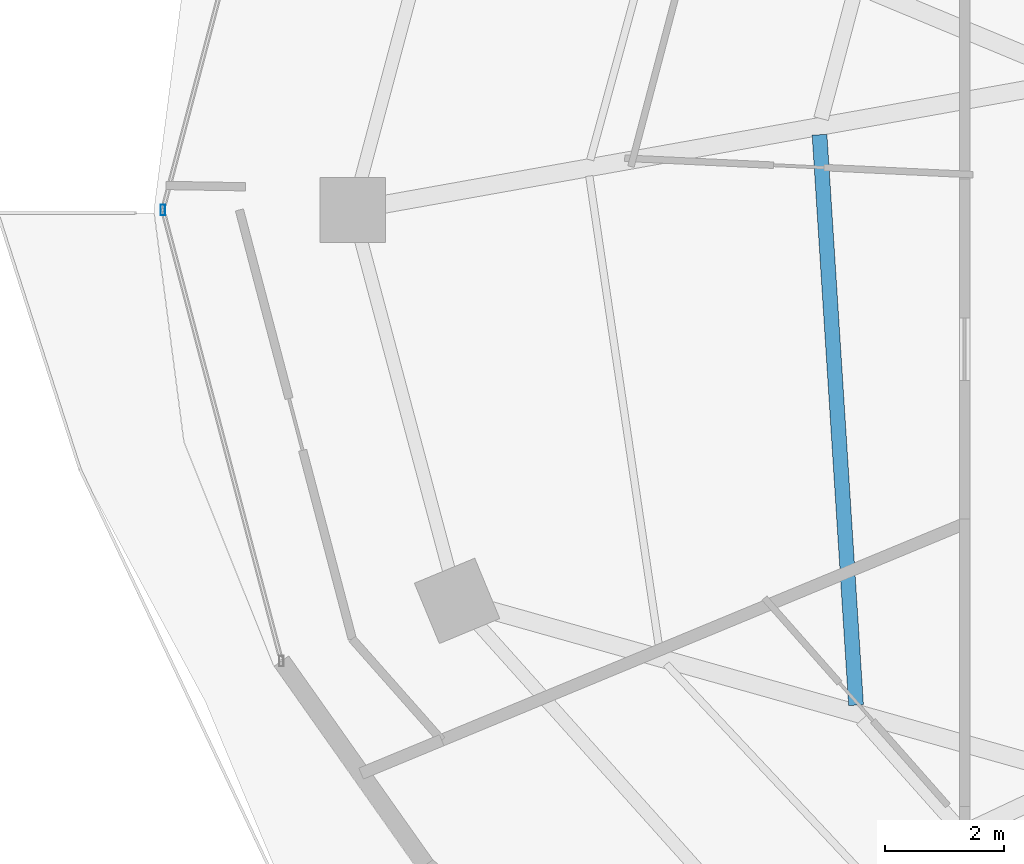
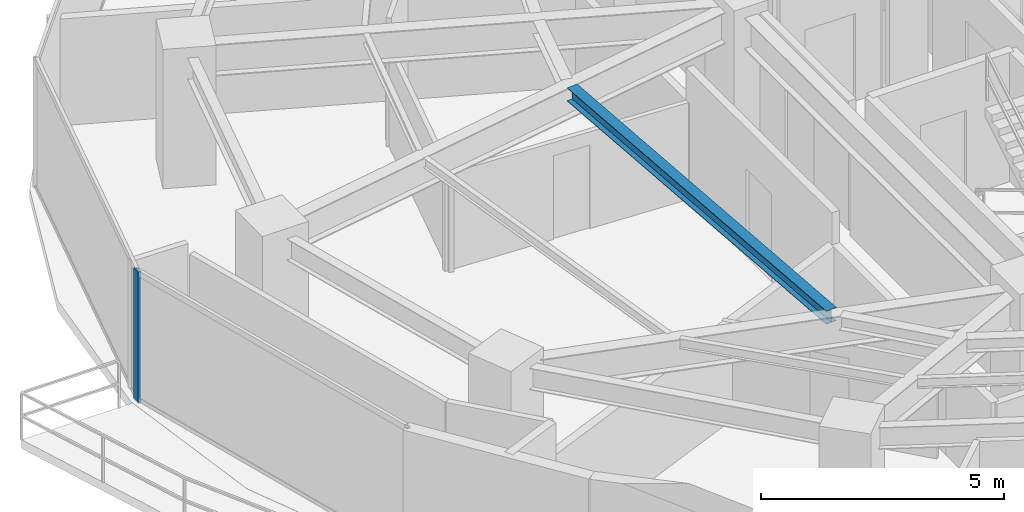
# One storey, part 7 of 30: 1 beam, 1 member, 1 element without a shape of its own.
"""IFC4 building model written with IfcOpenShell, lengths in metres."""

import ifcopenshell
import ifcopenshell.guid

model = None  # the IFC model being written
_history = None  # IfcOwnerHistory: only IFC2X3 demands one
_inside = {}  # id of a spatial element -> (the spatial element, [elements in it])
_under = {}  # id of a project, library or spatial element -> (it, [spatial elements below it])
_declared = {}  # id of a project -> (the project, [libraries it declares])
_typed = {}  # id of a type object -> (the type object, [elements of that type])
_made_of = {}  # id of a material, layer set ... -> (it, [elements and type objects made of it])


def new_model(schema):
    """Start an empty IFC model of exactly this schema.

    Asked for "IFC4X3", IfcOpenShell would pick the latest addendum, in which some entities
    have other attributes; the version numbers below select the first issue.
    IFC2X3 requires an IfcOwnerHistory on every rooted entity: one is made here for all.
    """
    global model, _history
    if schema == "IFC4X3":
        model = ifcopenshell.file(schema_version=(4, 3, 0, 0))
    else:
        model = ifcopenshell.file(schema=schema)
    _inside.clear()
    _under.clear()
    _declared.clear()
    _typed.clear()
    _made_of.clear()
    _history = None
    if model.schema == "IFC2X3":
        org = make("IfcOrganization", Name="unknown")
        user = make(
            "IfcPersonAndOrganization",
            ThePerson=make("IfcPerson", FamilyName="unknown"),
            TheOrganization=org,
        )
        app = make(
            "IfcApplication",
            ApplicationDeveloper=org,
            Version="unknown",
            ApplicationFullName="unknown",
            ApplicationIdentifier="unknown",
        )
        _history = make(
            "IfcOwnerHistory",
            OwningUser=user,
            OwningApplication=app,
            ChangeAction="ADDED",
            CreationDate=0,
        )
    return model


def make(cls, **values):
    """One entity of the class cls with the attributes given. An attribute that is None is left unset."""
    return model.create_entity(
        cls, **{name: value for name, value in values.items() if value is not None}
    )


def rooted(cls, **values):
    """An entity with a GlobalId (a new one), such as an element, a storey or a relation."""
    return make(cls, GlobalId=ifcopenshell.guid.new(), OwnerHistory=_history, **values)


def si_unit(unit_type, name, prefix=None):
    """IfcSIUnit, for example si_unit("LENGTHUNIT", "METRE", prefix="MILLI")."""
    return make("IfcSIUnit", UnitType=unit_type, Prefix=prefix, Name=name)


def assignment(units):
    """IfcUnitAssignment: the units of a project."""
    return None if units is None else make("IfcUnitAssignment", Units=units)


def point(xyz):
    """IfcCartesianPoint."""
    return None if xyz is None else make("IfcCartesianPoint", Coordinates=xyz)


def direction(xyz):
    """IfcDirection."""
    return None if xyz is None else make("IfcDirection", DirectionRatios=xyz)


def frame(location, z_axis=None, x_axis=None):
    """IfcAxis2Placement3D, a coordinate frame: its origin and axes. An axis left out is left unset."""
    return make(
        "IfcAxis2Placement3D",
        Location=point(location),
        Axis=direction(z_axis),
        RefDirection=direction(x_axis),
    )


def frame_2d(location, x_axis=None):
    """IfcAxis2Placement2D, a coordinate frame in the plane: its origin and x axis."""
    return make(
        "IfcAxis2Placement2D", Location=point(location), RefDirection=direction(x_axis)
    )


def origin():
    """The frame at (0, 0, 0) with its axes left unset."""
    return frame((0.0, 0.0, 0.0))


def origin_2d():
    """The frame at (0, 0) in the plane with its x axis left unset."""
    return frame_2d((0.0, 0.0))


def place(relative_to, where):
    """IfcLocalPlacement: puts the frame where relative to a parent placement (None: the world)."""
    return make(
        "IfcLocalPlacement", PlacementRelTo=relative_to, RelativePlacement=where
    )


def context(
    kind, dimensions, precision=None, world=None, true_north=None, identifier=None
):
    """IfcGeometricRepresentationContext, for example the 3D "Model" context."""
    return make(
        "IfcGeometricRepresentationContext",
        ContextIdentifier=identifier,
        ContextType=kind,
        CoordinateSpaceDimension=dimensions,
        Precision=precision,
        WorldCoordinateSystem=world,
        TrueNorth=true_north,
    )


def subcontext(parent, identifier, kind, view, scale=None):
    """IfcGeometricRepresentationSubContext, for example "Body" below "Model"."""
    return make(
        "IfcGeometricRepresentationSubContext",
        ContextIdentifier=identifier,
        ContextType=kind,
        ParentContext=parent,
        TargetScale=scale,
        TargetView=view,
    )


def project(units=None, contexts=None):
    """IfcProject with its units and contexts."""
    return rooted(
        "IfcProject",
        Name="project",
        RepresentationContexts=contexts,
        UnitsInContext=assignment(units),
    )


def spatial(cls, under=None, at=None, **own):
    """A site, building, storey or space (cls), placed at a placement, below another one or the project."""
    s = rooted(cls, ObjectPlacement=at, **own)
    if under is not None:
        _under.setdefault(under.id(), (under, []))[1].append(s)
    return s


def profile(cls, at=None, kind="AREA", **sizes):
    """A parametric profile (cls). Its sizes go by their IFC names, for example OverallWidth=200.0."""
    return make(cls, ProfileType=kind, Position=at, **sizes)


def hollow_rectangle(**sizes):
    """IfcRectangleHollowProfileDef."""
    return profile("IfcRectangleHollowProfileDef", **sizes)


def i_section(**sizes):
    """IfcIShapeProfileDef."""
    return profile("IfcIShapeProfileDef", **sizes)


def extrude(swept, where, along, depth):
    """IfcExtrudedAreaSolid: the profile swept, set in the frame where, extruded along a direction by depth."""
    return make(
        "IfcExtrudedAreaSolid",
        SweptArea=swept,
        Position=where,
        ExtrudedDirection=direction(along),
        Depth=depth,
    )


def shape(context_of_items, identifier, shape_type, items):
    """IfcShapeRepresentation: the items that make up one representation, for example the "Body"."""
    return make(
        "IfcShapeRepresentation",
        ContextOfItems=context_of_items,
        RepresentationIdentifier=identifier,
        RepresentationType=shape_type,
        Items=items,
    )


def material(Name=None, Category=None):
    """IfcMaterial."""
    return make("IfcMaterial", Name=Name, Category=Category)


def material_profile(
    of_material, cross_section, Name=None, Category=None, Priority=None
):
    """IfcMaterialProfile: a cross section and its material."""
    return make(
        "IfcMaterialProfile",
        Name=Name,
        Material=of_material,
        Profile=cross_section,
        Priority=Priority,
        Category=Category,
    )


def profile_set(profiles, Name=None, composite=None):
    """IfcMaterialProfileSet."""
    return make(
        "IfcMaterialProfileSet",
        Name=Name,
        MaterialProfiles=profiles,
        CompositeProfile=composite,
    )


def made_of(thing, what):
    """Note that an element or type object is made of a material, layer set ...; save() writes the relation."""
    if what is not None:
        _made_of.setdefault(what.id(), (what, []))[1].append(thing)
    return thing


def type_object(cls, material=None, **own):
    """A type object (cls), such as IfcWallType, which elements share."""
    return made_of(rooted(cls, **own), material)


def element(
    cls,
    number,
    at=None,
    inside=None,
    cuts=None,
    type_object=None,
    material=None,
    context=None,
    identifier="Body",
    shape_type=None,
    held_by="IfcProductDefinitionShape",
    body=None,
    shapes=None,
    **own,
):
    """One element of the class cls, such as IfcWall. Its Tag is "e" and its number.

    at: its placement. inside: the storey or other place that contains it. cuts: it is an
    opening in that element (IfcRelVoidsElement). A single representation is given by context,
    identifier, shape_type and body (its items); several are given by shapes. held_by: the class
    of the entity that holds the representations. save() writes the other relations.
    """
    e = rooted(cls, Tag="e%d" % number, ObjectPlacement=at, **own)
    if body is not None:
        shapes = [shape(context, identifier, shape_type, body)]
    if shapes is not None:
        e.Representation = make(held_by, Representations=shapes)
    if inside is not None:
        _inside.setdefault(inside.id(), (inside, []))[1].append(e)
    if cuts is not None:
        rooted(
            "IfcRelVoidsElement", RelatingBuildingElement=cuts, RelatedOpeningElement=e
        )
    if type_object is not None:
        _typed.setdefault(type_object.id(), (type_object, []))[1].append(e)
    return made_of(e, material)


def aggregate(whole, parts):
    """IfcRelAggregates: a whole, such as a stair, and the parts it consists of."""
    return rooted("IfcRelAggregates", RelatingObject=whole, RelatedObjects=parts)


def save(model, path):
    """Write the relations noted so far, then the file.

    IfcRelAggregates (storeys below a building ...), IfcRelContainedInSpatialStructure (elements
    in a storey), IfcRelDefinesByType, IfcRelAssociatesMaterial and IfcRelDeclares: one each for
    every whole, place, type object, material and project.
    """
    for whole, parts in _under.values():
        aggregate(whole, parts)
    for where, things in _inside.values():
        rooted(
            "IfcRelContainedInSpatialStructure",
            RelatedElements=things,
            RelatingStructure=where,
        )
    for kind, things in _typed.values():
        rooted("IfcRelDefinesByType", RelatedObjects=things, RelatingType=kind)
    for what, things in _made_of.values():
        rooted("IfcRelAssociatesMaterial", RelatedObjects=things, RelatingMaterial=what)
    for by, libraries in _declared.values():
        rooted("IfcRelDeclares", RelatingContext=by, RelatedDefinitions=libraries)
    model.write(path)


model = new_model("IFC4")

# Units and contexts
model_context = context("Model", 3, precision=1e-05, world=origin(), true_north=direction((0.0, 1.0)))
body_context = subcontext(model_context, "Body", "Model", "MODEL_VIEW")
ifc_project = project(units=[si_unit("LENGTHUNIT", "METRE"), si_unit("AREAUNIT", "SQUARE_METRE"), si_unit("VOLUMEUNIT", "CUBIC_METRE"), si_unit("PLANEANGLEUNIT", "RADIAN"), si_unit("MASSUNIT", "GRAM", prefix="KILO")], contexts=[model_context])

# Site, building, storey
site_placement = place(None, origin())
site = spatial("IfcSite", under=ifc_project, at=site_placement, CompositionType="ELEMENT")
building_placement = place(site_placement, origin())
building = spatial("IfcBuilding", under=site, at=building_placement, Name="Vorneva Point Tower", CompositionType="ELEMENT")
storey_placement = place(building_placement, frame((0.0, 0.0, 106.800048828125)))
storey = spatial("IfcBuildingStorey", under=building, at=storey_placement, Name="L28", CompositionType="ELEMENT", Elevation=106.800048828125)

# Beam
ifc_material_1 = material(Name="Steel S355", Category="steel")
ifc_material_profile_1 = material_profile(ifc_material_1, i_section(OverallWidth=0.2490234375, OverallDepth=0.333984375, WebThickness=0.008056640625, FlangeThickness=0.010986328125, at=origin_2d()), Name="35Sh1")
ifc_profile_set_1 = profile_set([ifc_material_profile_1], Name="Steel S355")
beam_type = type_object("IfcBeamType", Name="BM-SEC-35Sh1", PredefinedType="BEAM", material=ifc_profile_set_1)
beam_placement = place(storey_placement, frame((22.807373046875, 27.26611328125, 3.072998046875), z_axis=(0.063856594897, -0.997959084977, 0.0), x_axis=(0.997959084977, 0.063856594897, 0.0)))
element("IfcBeam", 1, at=beam_placement, inside=storey, type_object=beam_type, Name="L28 Secondary Floor Beam 2.09", PredefinedType="BEAM", context=body_context, shape_type="SweptSolid", body=[
    extrude(i_section(OverallWidth=0.2490234375, OverallDepth=0.333984375, WebThickness=0.008056640625, FlangeThickness=0.010986328125, at=origin_2d()), origin(), (0.0, 0.0, 1.0), 9.623046875),
])

# Curtain wall, member
ifc_material_2 = material(Name="Pale anodised aluminium", Category="aluminium")
curtain_wall_type = type_object("IfcCurtainWallType", Name="CW-HTL-SYS", PredefinedType="NOTDEFINED", material=ifc_material_2)
curtain_wall_placement = place(storey_placement, origin())
curtain_wall = element("IfcCurtainWall", 2, at=curtain_wall_placement, inside=storey, type_object=curtain_wall_type, Name="L28 Unitised Curtain Wall CW-L28-R03", PredefinedType="NOTDEFINED")
ifc_material_profile_2 = material_profile(ifc_material_2, hollow_rectangle(XDim=0.074951171875, YDim=0.179931640625, WallThickness=0.00390625, at=origin_2d()), Name="AL-MUL 180x75x4")
ifc_profile_set_2 = profile_set([ifc_material_profile_2], Name="Pale anodised aluminium")
member_type = type_object("IfcMemberType", Name="CW-MUL-180", PredefinedType="MULLION", material=ifc_profile_set_2)
member_placement = place(storey_placement, frame((11.75, 26.0, -0.0400390625), z_axis=(0.0, 0.0, 1.0), x_axis=(1.0, 0.0, 0.0)))
member = element("IfcMember", 3, at=member_placement, type_object=member_type, Name="CW-L28-R03 Mullion 03", PredefinedType="MULLION", context=body_context, shape_type="SweptSolid", body=[
    extrude(hollow_rectangle(XDim=0.074951171875, YDim=0.179931640625, WallThickness=0.00390625, at=origin_2d()), origin(), (0.0, 0.0, 1.0), 3.31005859375),
])
aggregate(curtain_wall, [member])

save(model, "model.ifc")
